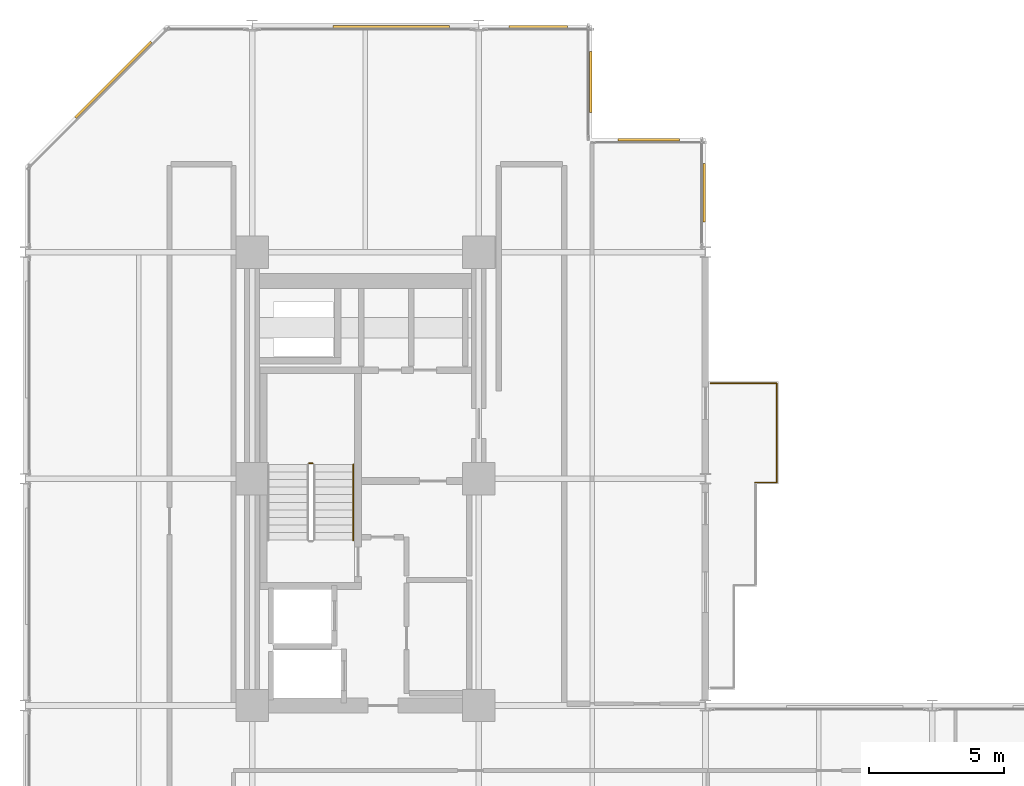
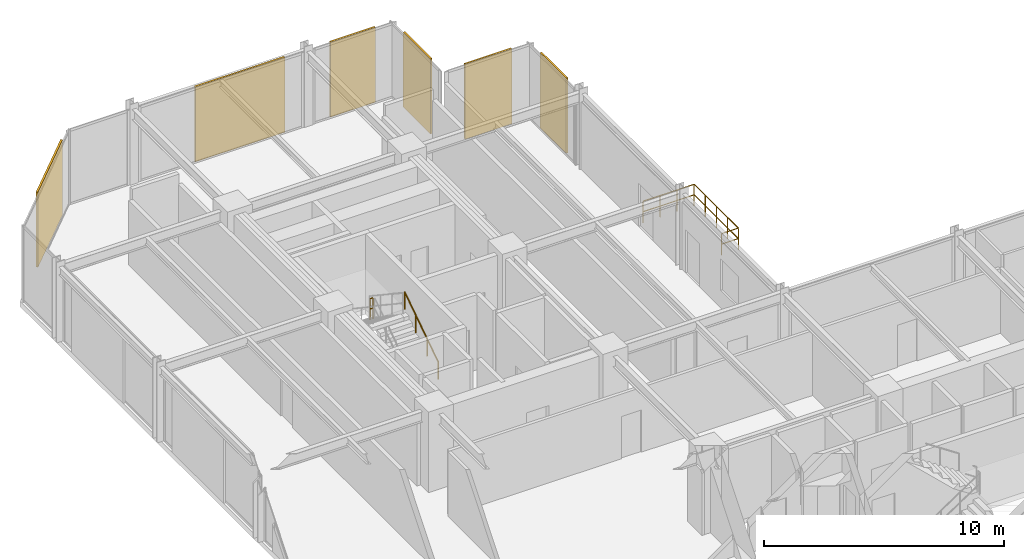
# One storey, part 29 of 29: 6 coverings, 5 railings.
"""IFC4 building model written with IfcOpenShell, lengths in metres."""

from ifc_helpers import new_model, si_unit, direction, frame, origin, origin_2d, place, context, subcontext, project, spatial, rectangle, circle, extrude, material, layer, layer_set, type_object, element, save


model = new_model("IFC4")

# Units and contexts
model_context = context("Model", 3, precision=1e-05, world=origin(), true_north=direction((0.0, 1.0)))
body_context = subcontext(model_context, "Body", "Model", "MODEL_VIEW")
ifc_project = project(units=[si_unit("LENGTHUNIT", "METRE"), si_unit("AREAUNIT", "SQUARE_METRE"), si_unit("VOLUMEUNIT", "CUBIC_METRE"), si_unit("PLANEANGLEUNIT", "RADIAN"), si_unit("MASSUNIT", "GRAM", prefix="KILO")], contexts=[model_context])

# Site, building, storey
site_placement = place(None, origin())
site = spatial("IfcSite", under=ifc_project, at=site_placement, CompositionType="ELEMENT")
building_placement = place(site_placement, origin())
building = spatial("IfcBuilding", under=site, at=building_placement, Name="Nerrivon Quay Data Exchange", CompositionType="ELEMENT")
storey_placement = place(building_placement, frame((0.0, 0.0, 121.300048828125)))
storey = spatial("IfcBuildingStorey", under=building, at=storey_placement, Name="L28", CompositionType="ELEMENT", Elevation=121.300048828125)

# Coverings
ifc_material_1 = material(Name="Architectural terracotta ceramic", Category="masonry")
ifc_layer = layer(ifc_material_1, 0.090087890625)
ifc_layer_set = layer_set([ifc_layer], Name="Architectural terracotta ceramic")
covering_type = type_object("IfcCoveringType", Name="COV-SCR-TERR", PredefinedType="CLADDING", material=ifc_layer_set)
covering_1_placement = place(storey_placement, frame((3.255859375, 48.39208984375, 0.0), z_axis=(0.0, 0.0, 1.0), x_axis=(0.707106781187, 0.707106781187, 0.0)))
element("IfcCovering", 1, at=covering_1_placement, inside=storey, type_object=covering_type, Name="L28 Perforated Terracotta SOLAR SCREEN Cassette", PredefinedType="CLADDING", context=body_context, shape_type="SweptSolid", body=[
    extrude(rectangle(XDim=3.970947265625, YDim=0.090087890625, at=origin_2d()), origin(), (0.0, 0.0, 1.0), 3.824951171875),
])
covering_2_placement = place(storey_placement, frame((13.56005859375, 50.35498046875, 0.0), z_axis=(0.0, 0.0, 1.0), x_axis=(1.0, 0.0, 0.0)))
element("IfcCovering", 2, at=covering_2_placement, inside=storey, type_object=covering_type, Name="L28 Perforated Terracotta SOLAR SCREEN Cassette", PredefinedType="CLADDING", context=body_context, shape_type="SweptSolid", body=[
    extrude(rectangle(XDim=4.320068359375, YDim=0.090087890625, at=origin_2d()), origin(), (0.0, 0.0, 1.0), 3.824951171875),
])
covering_3_placement = place(storey_placement, frame((19.0, 50.35498046875, 0.0), z_axis=(0.0, 0.0, 1.0), x_axis=(1.0, 0.0, 0.0)))
element("IfcCovering", 3, at=covering_3_placement, inside=storey, type_object=covering_type, Name="L28 Perforated Terracotta SOLAR SCREEN Cassette", PredefinedType="CLADDING", context=body_context, shape_type="SweptSolid", body=[
    extrude(rectangle(XDim=2.159912109375, YDim=0.090087890625, at=origin_2d()), origin(), (0.0, 0.0, 1.0), 3.824951171875),
])
for number, where, z_axis, x_axis, name in (
    (4, (20.955078125, 48.300048828125, 0.0), (0.0, 0.0, 1.0), (0.0, -1.0, 0.0), "L28 Perforated Terracotta SOLAR SCREEN Cassette"),
    (5, (23.10009765625, 46.155029296875, 0.0), (0.0, 0.0, 1.0), (1.0, 0.0, 0.0), "L28 Perforated Terracotta SOLAR SCREEN Cassette"),
):
    element("IfcCovering", number, at=place(storey_placement, frame(where, z_axis=z_axis, x_axis=x_axis)), inside=storey, type_object=covering_type, Name=name, PredefinedType="CLADDING", context=body_context, shape_type="SweptSolid", body=[
        extrude(rectangle(XDim=2.26806640625, YDim=0.090087890625, at=origin_2d()), origin(), (0.0, 0.0, 1.0), 3.824951171875),
    ])
covering_4_placement = place(storey_placement, frame((25.155029296875, 44.199951171875, 0.0), z_axis=(0.0, 0.0, 1.0), x_axis=(0.0, -1.0, 0.0)))
element("IfcCovering", 6, at=covering_4_placement, inside=storey, type_object=covering_type, Name="L28 Perforated Terracotta SOLAR SCREEN Cassette", PredefinedType="CLADDING", context=body_context, shape_type="SweptSolid", body=[
    extrude(rectangle(XDim=2.159912109375, YDim=0.090087890625, at=origin_2d()), origin(), (0.0, 0.0, 1.0), 3.824951171875),
])

# Railings
ifc_material_2 = material(Name="Steel Grade C350L0 (350 MPa)", Category="steel")
railing_type_1 = type_object("IfcRailingType", Name="RAIL-GUARD-GR2", PredefinedType="BALUSTRADE", material=ifc_material_2)
railing_1_placement = place(storey_placement, frame((25.3798828125, 37.139892578125, 0.0)))
element("IfcRailing", 7, at=railing_1_placement, inside=storey, type_object=railing_type_1, Name="L28 Verandah Balcony Guard 1.3 1", PredefinedType="BALUSTRADE", context=body_context, shape_type="SweptSolid", body=[
    extrude(circle(Radius=0.02392578125, at=origin_2d()), frame((0.0, 0.0, 1.09619140625), z_axis=(1.0, 0.0, 0.0), x_axis=(0.0, 1.0, 0.0)), (0.0, 0.0, 1.0), 2.460205078125),
    extrude(circle(Radius=0.02392578125, at=origin_2d()), frame((0.0, 0.0, 0.56005859375), z_axis=(1.0, 0.0, 0.0), x_axis=(0.0, 1.0, 0.0)), (0.0, 0.0, 1.0), 2.460205078125),
    extrude(circle(Radius=0.02099609375, at=origin_2d()), origin(), (0.0, 0.0, 1.0), 1.072021484375),
    extrude(circle(Radius=0.02099609375, at=origin_2d()), frame((0.820068359375, 0.0, 0.0)), (0.0, 0.0, 1.0), 1.072021484375),
    extrude(circle(Radius=0.02099609375, at=origin_2d()), frame((1.64013671875, 0.0, 0.0)), (0.0, 0.0, 1.0), 1.072021484375),
    extrude(circle(Radius=0.02099609375, at=origin_2d()), frame((2.460205078125, 0.0, 0.0)), (0.0, 0.0, 1.0), 1.072021484375),
])
railing_2_placement = place(storey_placement, frame((27.840087890625, 37.139892578125, 0.0)))
element("IfcRailing", 8, at=railing_2_placement, inside=storey, type_object=railing_type_1, Name="L28 Verandah Balcony Guard 1.4 1", PredefinedType="BALUSTRADE", context=body_context, shape_type="SweptSolid", body=[
    extrude(circle(Radius=0.02392578125, at=origin_2d()), frame((0.0, 0.0, 1.09619140625), z_axis=(0.0, -1.0, 0.0), x_axis=(1.0, 0.0, 0.0)), (0.0, 0.0, 1.0), 3.679931640625),
    extrude(circle(Radius=0.02392578125, at=origin_2d()), frame((0.0, 0.0, 0.56005859375), z_axis=(0.0, -1.0, 0.0), x_axis=(1.0, 0.0, 0.0)), (0.0, 0.0, 1.0), 3.679931640625),
    extrude(circle(Radius=0.02099609375, at=origin_2d()), origin(), (0.0, 0.0, 1.0), 1.072021484375),
    extrude(circle(Radius=0.02099609375, at=origin_2d()), frame((0.0, -0.919921875, 0.0)), (0.0, 0.0, 1.0), 1.072021484375),
    extrude(circle(Radius=0.02099609375, at=origin_2d()), frame((0.0, -1.83984375, 0.0)), (0.0, 0.0, 1.0), 1.072021484375),
    extrude(circle(Radius=0.02099609375, at=origin_2d()), frame((0.0, -2.760009765625, 0.0)), (0.0, 0.0, 1.0), 1.072021484375),
    extrude(circle(Radius=0.02099609375, at=origin_2d()), frame((0.0, -3.679931640625, 0.0)), (0.0, 0.0, 1.0), 1.072021484375),
])
railing_3_placement = place(storey_placement, frame((27.840087890625, 33.4599609375, 0.0)))
element("IfcRailing", 9, at=railing_3_placement, inside=storey, type_object=railing_type_1, Name="L28 Verandah Balcony Guard 1.5 1", PredefinedType="BALUSTRADE", context=body_context, shape_type="SweptSolid", body=[
    extrude(circle(Radius=0.02392578125, at=origin_2d()), frame((0.0, 0.0, 1.09619140625), z_axis=(-1.0, 0.0, 0.0), x_axis=(0.0, -1.0, 0.0)), (0.0, 0.0, 1.0), 0.800048828125),
    extrude(circle(Radius=0.02392578125, at=origin_2d()), frame((0.0, 0.0, 0.56005859375), z_axis=(-1.0, 0.0, 0.0), x_axis=(0.0, -1.0, 0.0)), (0.0, 0.0, 1.0), 0.800048828125),
    extrude(circle(Radius=0.02099609375, at=origin_2d()), origin(), (0.0, 0.0, 1.0), 1.072021484375),
    extrude(circle(Radius=0.02099609375, at=origin_2d()), frame((-0.800048828125, 0.0, 0.0)), (0.0, 0.0, 1.0), 1.072021484375),
])
railing_type_2 = type_object("IfcRailingType", Name="RAIL-HAND-HR1", PredefinedType="HANDRAIL", material=ifc_material_2)
railing_4_placement = place(storey_placement, frame((12.14990234375, 31.330078125, 0.186279296875)))
element("IfcRailing", 10, at=railing_4_placement, inside=storey, type_object=railing_type_2, Name="L28 ST01 stair handrail 1", PredefinedType="HANDRAIL", context=body_context, shape_type="SweptSolid", body=[
    extrude(circle(Radius=0.02392578125, at=origin_2d()), frame((0.0, 0.0, 0.8759765625), z_axis=(0.0, 0.832429786209, 0.554130536094), x_axis=(-1.0, 0.0, 0.0)), (0.0, 0.0, 1.0), 3.363525390625),
    extrude(circle(Radius=0.02099609375, at=origin_2d()), origin(), (0.0, 0.0, 1.0), 0.851806640625),
    extrude(circle(Radius=0.02099609375, at=origin_2d()), frame((0.0, 0.933349609375, 0.621337890625)), (0.0, 0.0, 1.0), 0.851806640625),
    extrude(circle(Radius=0.02099609375, at=origin_2d()), frame((0.0, 1.866455078125, 1.242431640625)), (0.0, 0.0, 1.0), 0.851806640625),
    extrude(circle(Radius=0.02099609375, at=origin_2d()), frame((0.0, 2.7998046875, 1.86376953125)), (0.0, 0.0, 1.0), 0.851806640625),
])
railing_type_3 = type_object("IfcRailingType", Name="RAIL-STAIR-GR1", PredefinedType="BALUSTRADE", material=ifc_material_2)
railing_5_placement = place(storey_placement, frame((10.64990234375, 34.179931640625, 2.050048828125)))
element("IfcRailing", 11, at=railing_5_placement, inside=storey, type_object=railing_type_3, Name="L28 ST01 stair guard 2", PredefinedType="BALUSTRADE", context=body_context, shape_type="SweptSolid", body=[
    extrude(circle(Radius=0.02392578125, at=origin_2d()), frame((0.0, 0.0, 1.076171875), z_axis=(-1.0, 0.0, 0.0), x_axis=(0.0, -1.0, 0.0)), (0.0, 0.0, 1.0), 0.14990234375),
    extrude(circle(Radius=0.02392578125, at=origin_2d()), frame((0.0, 0.0, 0.550048828125), z_axis=(-1.0, 0.0, 0.0), x_axis=(0.0, -1.0, 0.0)), (0.0, 0.0, 1.0), 0.14990234375),
    extrude(circle(Radius=0.02099609375, at=origin_2d()), origin(), (0.0, 0.0, 1.0), 1.052001953125),
    extrude(circle(Radius=0.02099609375, at=origin_2d()), frame((-0.14990234375, 0.0, 0.0)), (0.0, 0.0, 1.0), 1.052001953125),
])

save(model, "model.ifc")
